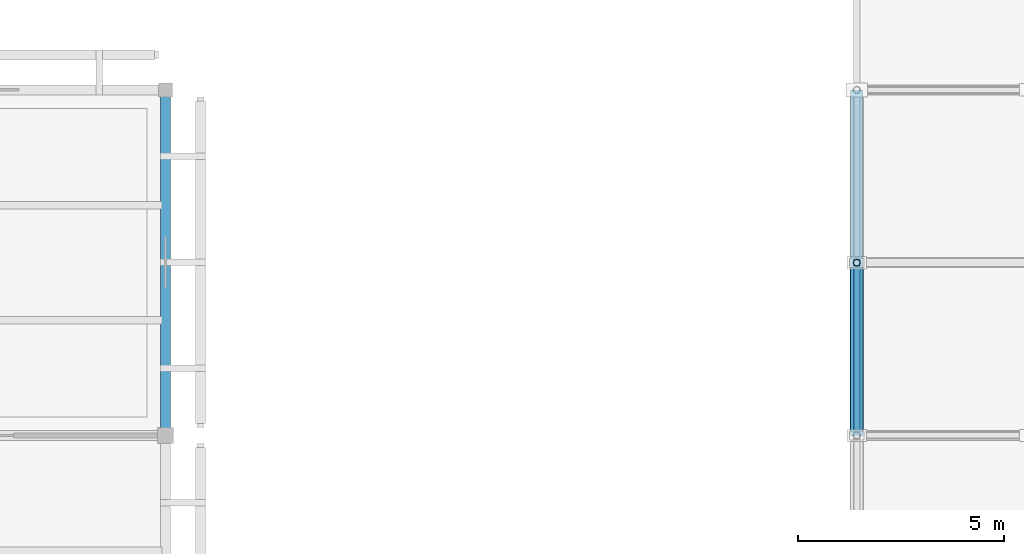
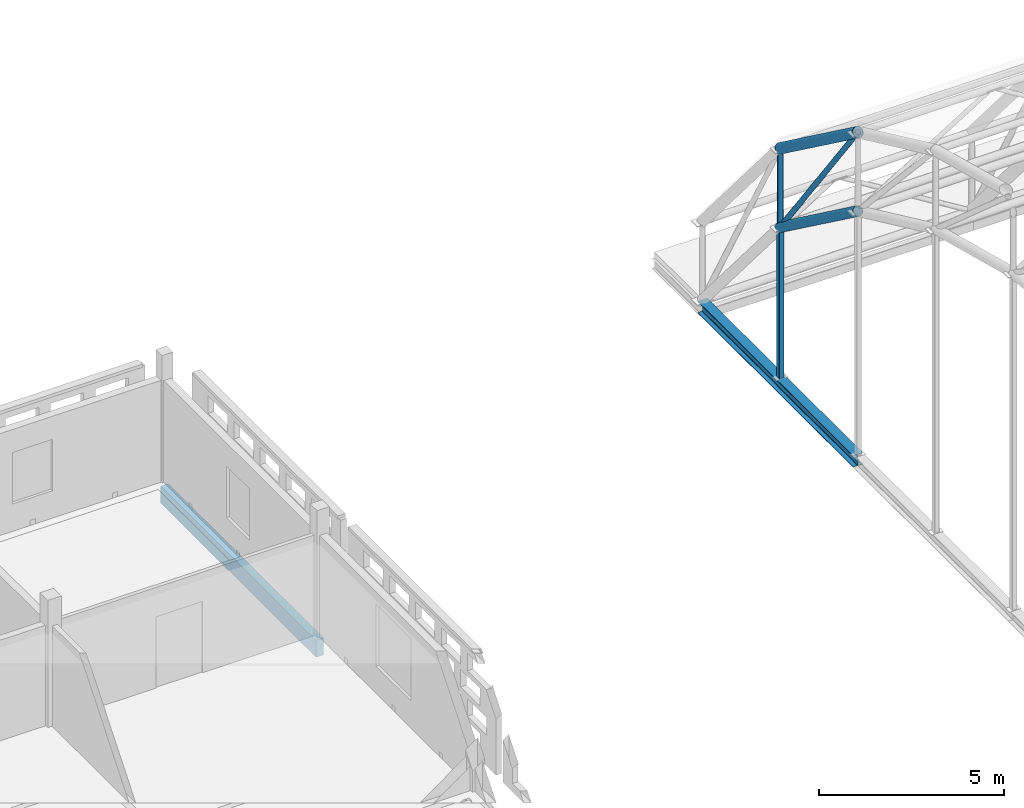
# One storey, part 17 of 103: 4 beams, 3 members.
"""IFC4 building model written with IfcOpenShell, lengths in metres."""

from ifc_helpers import new_model, si_unit, direction, frame, origin, origin_2d, place, context, subcontext, project, spatial, rectangle, hollow_rectangle, hollow_circle, i_section, extrude, material, material_profile, profile_set, type_object, element, save


model = new_model("IFC4")

# Units and contexts
model_context = context("Model", 3, precision=1e-05, world=origin(), true_north=direction((0.0, 1.0)))
body_context = subcontext(model_context, "Body", "Model", "MODEL_VIEW")
ifc_project = project(units=[si_unit("LENGTHUNIT", "METRE"), si_unit("AREAUNIT", "SQUARE_METRE"), si_unit("VOLUMEUNIT", "CUBIC_METRE"), si_unit("PLANEANGLEUNIT", "RADIAN"), si_unit("MASSUNIT", "GRAM", prefix="KILO")], contexts=[model_context])

# Site, building, storey
site_placement = place(None, origin())
site = spatial("IfcSite", under=ifc_project, at=site_placement, CompositionType="ELEMENT")
building_placement = place(site_placement, origin())
building = spatial("IfcBuilding", under=site, at=building_placement, Name="Varnapada Polytechnic", CompositionType="ELEMENT")
storey_placement = place(building_placement, frame((0.0, 0.0, 18.0)))
storey = spatial("IfcBuildingStorey", under=building, at=storey_placement, Name="L04", CompositionType="ELEMENT", Elevation=18.0)

# Beam
ifc_material_1 = material(Name="Glulam GL32h", Category="wood")
ifc_material_profile_1 = material_profile(ifc_material_1, rectangle(XDim=0.239990234375, YDim=0.56005859375, at=origin_2d()), Name="GL 240x560")
ifc_profile_set_1 = profile_set([ifc_material_profile_1], Name="Glulam GL32h")
beam_type_1 = type_object("IfcBeamType", Name="Perimeter glulam spandrel beam SP-02 (GL 240x560)", PredefinedType="SPANDREL", material=ifc_profile_set_1)
beam_1_placement = place(storey_placement, frame((33.60009765625, 117.60009765625, -0.5), z_axis=(0.0, 1.0, 0.0), x_axis=(-1.0, 0.0, 0.0)))
element("IfcBeam", 1, at=beam_1_placement, inside=storey, type_object=beam_type_1, Name="L04 beam Y 15-16 at X5", PredefinedType="SPANDREL", context=body_context, shape_type="SweptSolid", body=[
    extrude(rectangle(XDim=0.239990234375, YDim=0.56005859375, at=origin_2d()), origin(), (0.0, 0.0, 1.0), 8.39990234375),
])

# Member
ifc_material_2 = material(Name="Steel S355", Category="steel")
ifc_material_profile_2 = material_profile(ifc_material_2, hollow_rectangle(XDim=0.14990234375, YDim=0.14990234375, WallThickness=0.00634765625, InnerFilletRadius=0.006103515625, OuterFilletRadius=0.011962890625, at=origin_2d()), Name="SHS 150x150x6.3")
ifc_profile_set_2 = profile_set([ifc_material_profile_2], Name="Steel S355")
member_type_1 = type_object("IfcMemberType", Name="Sawtooth north-light mullion post SFP-02 (SHS 150x150x6.3)", PredefinedType="POST", material=ifc_profile_set_2)
member_1_placement = place(storey_placement, frame((50.39990234375, 121.800048828125, 0.0), z_axis=(0.0, 0.0, 1.0), x_axis=(1.0, 0.0, 0.0)))
element("IfcMember", 2, at=member_1_placement, inside=storey, type_object=member_type_1, Name="Workshop arch tympanum mullion W.9", PredefinedType="POST", context=body_context, shape_type="SweptSolid", body=[
    extrude(hollow_rectangle(XDim=0.14990234375, YDim=0.14990234375, WallThickness=0.00634765625, InnerFilletRadius=0.006103515625, OuterFilletRadius=0.011962890625, at=origin_2d()), origin(), (0.0, 0.0, 1.0), 4.94921875),
])

# Beam
ifc_material_profile_3 = material_profile(ifc_material_2, hollow_circle(Radius=0.149169921875, WallThickness=0.010009765625, at=origin_2d()), Name="CHS 298.5x10.0")
ifc_profile_set_3 = profile_set([ifc_material_profile_3], Name="Steel S355")
beam_type_2 = type_object("IfcBeamType", Name="Space frame end-bay arch rib VA-04 (CHS 298.5x10.0)", PredefinedType="BEAM", material=ifc_profile_set_3)
beam_2_placement = place(storey_placement, frame((50.39990234375, 117.60009765625, 8.02783203125), z_axis=(0.0, 0.806528689778, -0.591194953095), x_axis=(-1.0, 0.0, 0.0)))
element("IfcBeam", 3, at=beam_2_placement, inside=storey, type_object=beam_type_2, Name="Vaulted space frame bottom arch chord 1.9", PredefinedType="BEAM", context=body_context, shape_type="SweptSolid", body=[
    extrude(hollow_circle(Radius=0.149169921875, WallThickness=0.010009765625, at=origin_2d()), origin(), (0.0, 0.0, 1.0), 5.20751953125),
])

# Member
ifc_material_profile_4 = material_profile(ifc_material_2, hollow_circle(Radius=0.07958984375, WallThickness=0.00634765625, at=origin_2d()), Name="CHS 159.0x6.3")
ifc_profile_set_4 = profile_set([ifc_material_profile_4], Name="Steel S355")
member_type_2 = type_object("IfcMemberType", Name="Space frame perimeter web diagonal SFB-03 (CHS 159.0x6.3)", PredefinedType="BRACE", material=ifc_profile_set_4)
member_2_placement = place(storey_placement, frame((50.39990234375, 117.60009765625, 10.6279296875), z_axis=(0.0, 0.594633036041, -0.803997234105), x_axis=(-1.0, 0.0, 0.0)))
element("IfcMember", 4, at=member_2_placement, inside=storey, type_object=member_type_2, Name="Vaulted space frame web diagonal 1.9", PredefinedType="BRACE", context=body_context, shape_type="SweptSolid", body=[
    extrude(hollow_circle(Radius=0.07958984375, WallThickness=0.00634765625, at=origin_2d()), origin(), (0.0, 0.0, 1.0), 7.06298828125),
])

# Beam
ifc_material_profile_5 = material_profile(ifc_material_2, i_section(OverallWidth=0.300048828125, OverallDepth=0.389892578125, WebThickness=0.010986328125, FlangeThickness=0.01904296875, FilletRadius=0.027099609375, at=origin_2d()), Name="HEA 400")
ifc_profile_set_5 = profile_set([ifc_material_profile_5], Name="Steel S355")
beam_type_3 = type_object("IfcBeamType", Name="Steel roof primary girder SG-01 (HEA 400)", PredefinedType="BEAM", material=ifc_profile_set_5)
beam_3_placement = place(storey_placement, frame((50.39990234375, 117.60009765625, -0.18994140625), z_axis=(0.0, 1.0, 0.0), x_axis=(-1.0, 0.0, 0.0)))
element("IfcBeam", 5, at=beam_3_placement, inside=storey, type_object=beam_type_3, Name="L04 workshop arch tympanum sill girder W.5", PredefinedType="BEAM", context=body_context, shape_type="SweptSolid", body=[
    extrude(i_section(OverallWidth=0.300048828125, OverallDepth=0.389892578125, WebThickness=0.010986328125, FlangeThickness=0.01904296875, FilletRadius=0.027099609375, at=origin_2d()), origin(), (0.0, 0.0, 1.0), 8.39990234375),
])

# Member
ifc_material_profile_6 = material_profile(ifc_material_2, hollow_circle(Radius=0.084228515625, WallThickness=0.00634765625, at=origin_2d()), Name="CHS 168.3x6.3")
ifc_profile_set_6 = profile_set([ifc_material_profile_6], Name="Steel S355")
member_type_3 = type_object("IfcMemberType", Name="Vaulted space frame radial web strut SFS-01 (CHS 168.3x6.3)", PredefinedType="STRUT", material=ifc_profile_set_6)
member_3_placement = place(storey_placement, frame((50.39990234375, 121.800048828125, 4.94921875), z_axis=(0.0, 0.0, 1.0), x_axis=(1.0, 0.0, 0.0)))
element("IfcMember", 6, at=member_3_placement, inside=storey, type_object=member_type_3, Name="Vaulted space frame strut 1.10", PredefinedType="STRUT", context=body_context, shape_type="SweptSolid", body=[
    extrude(hollow_circle(Radius=0.084228515625, WallThickness=0.00634765625, at=origin_2d()), origin(), (0.0, 0.0, 1.0), 2.599853515625),
])

# Beam
ifc_material_profile_7 = material_profile(ifc_material_2, hollow_circle(Radius=0.161865234375, WallThickness=0.010009765625, at=origin_2d()), Name="CHS 323.9x10.0")
ifc_profile_set_7 = profile_set([ifc_material_profile_7], Name="Steel S355")
beam_type_4 = type_object("IfcBeamType", Name="Vaulted space frame upper arch rib VA-02 (CHS 323.9x10.0)", PredefinedType="BEAM", material=ifc_profile_set_7)
beam_4_placement = place(storey_placement, frame((50.39990234375, 117.60009765625, 10.6279296875), z_axis=(0.0, 0.806506335259, -0.591225448698), x_axis=(-1.0, 0.0, 0.0)))
element("IfcBeam", 7, at=beam_4_placement, inside=storey, type_object=beam_type_4, Name="Vaulted space frame top arch chord 1.9", PredefinedType="BEAM", context=body_context, shape_type="SweptSolid", body=[
    extrude(hollow_circle(Radius=0.161865234375, WallThickness=0.010009765625, at=origin_2d()), origin(), (0.0, 0.0, 1.0), 5.20751953125),
])

save(model, "model.ifc")
